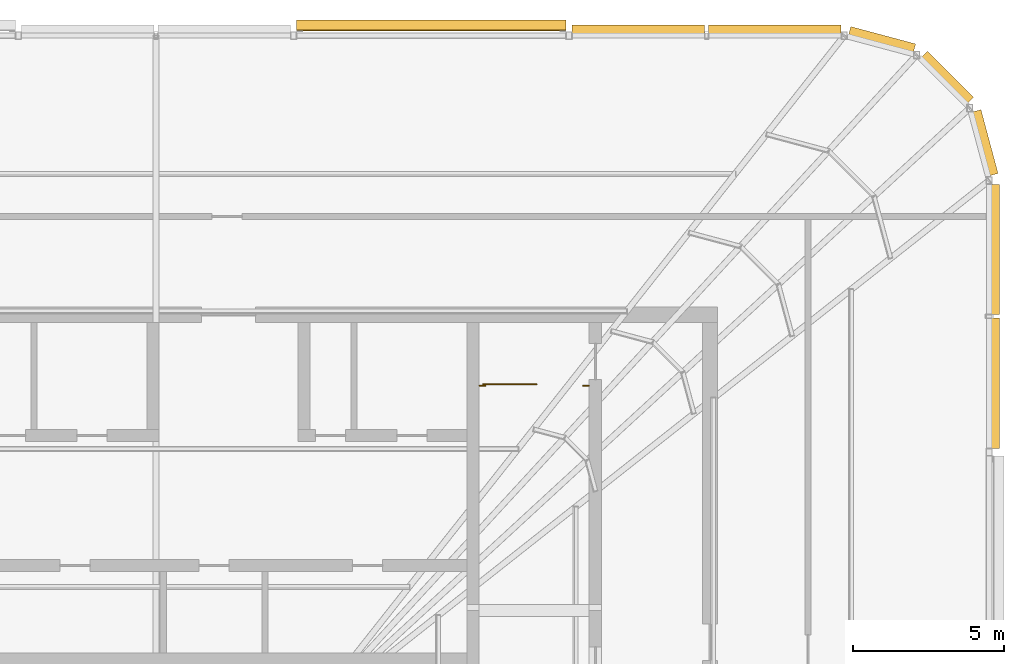
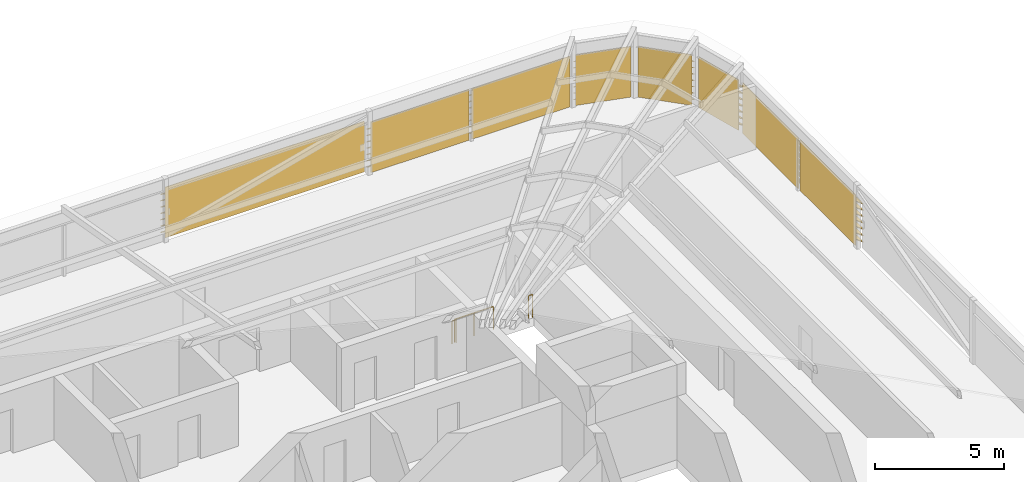
# One storey, part 46 of 46: 8 shading devices, 3 railings.
"""IFC4 building model written with IfcOpenShell, lengths in metres."""

from ifc_helpers import new_model, si_unit, direction, frame, origin, origin_2d, place, context, subcontext, project, spatial, polyline, circle, outline, extrude, material, type_object, element, save


model = new_model("IFC4")

# Units and contexts
model_context = context("Model", 3, precision=1e-05, world=origin(), true_north=direction((0.0, 1.0)))
body_context = subcontext(model_context, "Body", "Model", "MODEL_VIEW")
ifc_project = project(units=[si_unit("LENGTHUNIT", "METRE"), si_unit("AREAUNIT", "SQUARE_METRE"), si_unit("VOLUMEUNIT", "CUBIC_METRE"), si_unit("PLANEANGLEUNIT", "RADIAN"), si_unit("MASSUNIT", "GRAM", prefix="KILO")], contexts=[model_context])

# Site, building, storey
site_placement = place(None, origin())
site = spatial("IfcSite", under=ifc_project, at=site_placement, CompositionType="ELEMENT")
building_placement = place(site_placement, origin())
building = spatial("IfcBuilding", under=site, at=building_placement, Name="Madar Terraces", CompositionType="ELEMENT")
storey_placement = place(building_placement, frame((0.0, 0.0, 317.300048828125)))
storey = spatial("IfcBuildingStorey", under=building, at=storey_placement, Name="L82", CompositionType="ELEMENT", Elevation=317.300048828125)

# Shading devices
ifc_material_1 = material(Name="Aluminium, black anodised", Category="aluminium")
shading_device_type = type_object("IfcShadingDeviceType", Name="Crown louvre bank", PredefinedType="USERDEFINED", material=ifc_material_1)
for number, where, z_axis, x_axis, name in (
    (1, (56.39990234375, 33.126953125, 0.0), (0.0, 1.0, 0.0), (-1.0, 0.0, 0.0), "LOUVRE bank L82 12.1"),
    (2, (56.39990234375, 37.5634765625, 0.0), (0.0, 1.0, 0.0), (-1.0, 0.0, 0.0), "LOUVRE bank L82 12.2"),
):
    element("IfcShadingDevice", number, at=place(storey_placement, frame(where, z_axis=z_axis, x_axis=x_axis)), inside=storey, type_object=shading_device_type, Name=name, ObjectType="LOUVRE", PredefinedType="USERDEFINED", context=body_context, shape_type="SweptSolid", body=[
        extrude(outline(polyline([(0.014892578125, 0.0), (-0.014892578125, 0.0), (-0.014892578125, 0.24951171875), (-0.3427734375, 0.02001953125), (-0.3427734375, 0.06884765625), (-0.014892578125, 0.29833984375), (-0.014892578125, 0.54931640625), (-0.3427734375, 0.320068359375), (-0.3427734375, 0.368896484375), (-0.014892578125, 0.59814453125), (-0.014892578125, 0.849365234375), (-0.3427734375, 0.6201171875), (-0.3427734375, 0.6689453125), (-0.014892578125, 0.898193359375), (-0.014892578125, 1.1494140625), (-0.3427734375, 0.919921875), (-0.3427734375, 0.96875), (-0.014892578125, 1.1982421875), (-0.014892578125, 1.449462890625), (-0.3427734375, 1.219970703125), (-0.3427734375, 1.268798828125), (-0.014892578125, 1.498291015625), (-0.014892578125, 1.74951171875), (-0.3427734375, 1.52001953125), (-0.3427734375, 1.56884765625), (-0.014892578125, 1.79833984375), (-0.014892578125, 2.04931640625), (-0.3427734375, 1.820068359375), (-0.3427734375, 1.868896484375), (-0.014892578125, 2.09814453125), (-0.014892578125, 2.39794921875), (0.014892578125, 2.39794921875), (0.014892578125, 0.0)])), origin(), (0.0, 0.0, 1.0), 4.3095703125),
    ])
shading_device_1_placement = place(storey_placement, frame((56.361328125, 42.143798828125, 0.0), z_axis=(-0.258788169352, 0.965934098893, 0.0), x_axis=(-0.965934098893, -0.258788169352, 0.0)))
element("IfcShadingDevice", 3, at=shading_device_1_placement, inside=storey, type_object=shading_device_type, Name="LOUVRE bank L82 13.1", ObjectType="LOUVRE", PredefinedType="USERDEFINED", context=body_context, shape_type="SweptSolid", body=[
    extrude(outline(polyline([(0.014892578125, 0.0), (-0.014892578125, 0.0), (-0.014892578125, 0.24951171875), (-0.3427734375, 0.02001953125), (-0.3427734375, 0.06884765625), (-0.014892578125, 0.29833984375), (-0.014892578125, 0.54931640625), (-0.3427734375, 0.320068359375), (-0.3427734375, 0.368896484375), (-0.014892578125, 0.59814453125), (-0.014892578125, 0.849365234375), (-0.3427734375, 0.6201171875), (-0.3427734375, 0.6689453125), (-0.014892578125, 0.898193359375), (-0.014892578125, 1.1494140625), (-0.3427734375, 0.919921875), (-0.3427734375, 0.96875), (-0.014892578125, 1.1982421875), (-0.014892578125, 1.449462890625), (-0.3427734375, 1.219970703125), (-0.3427734375, 1.268798828125), (-0.014892578125, 1.498291015625), (-0.014892578125, 1.74951171875), (-0.3427734375, 1.52001953125), (-0.3427734375, 1.56884765625), (-0.014892578125, 1.79833984375), (-0.014892578125, 2.04931640625), (-0.3427734375, 1.820068359375), (-0.3427734375, 1.868896484375), (-0.014892578125, 2.09814453125), (-0.014892578125, 2.39794921875), (0.014892578125, 2.39794921875), (0.014892578125, 0.0)])), origin(), (0.0, 0.0, 1.0), 2.186767578125),
])
shading_device_2_placement = place(storey_placement, frame((55.642578125, 44.514404296875, 0.0), z_axis=(-0.707106781187, 0.707106781187, 0.0), x_axis=(-0.707106781187, -0.707106781187, 0.0)))
element("IfcShadingDevice", 4, at=shading_device_2_placement, inside=storey, type_object=shading_device_type, Name="LOUVRE bank L82 14.1", ObjectType="LOUVRE", PredefinedType="USERDEFINED", context=body_context, shape_type="SweptSolid", body=[
    extrude(outline(polyline([(0.014892578125, 0.0), (-0.014892578125, 0.0), (-0.014892578125, 0.24951171875), (-0.3427734375, 0.02001953125), (-0.3427734375, 0.06884765625), (-0.014892578125, 0.29833984375), (-0.014892578125, 0.54931640625), (-0.3427734375, 0.320068359375), (-0.3427734375, 0.368896484375), (-0.014892578125, 0.59814453125), (-0.014892578125, 0.849365234375), (-0.3427734375, 0.6201171875), (-0.3427734375, 0.6689453125), (-0.014892578125, 0.898193359375), (-0.014892578125, 1.1494140625), (-0.3427734375, 0.919921875), (-0.3427734375, 0.96875), (-0.014892578125, 1.1982421875), (-0.014892578125, 1.449462890625), (-0.3427734375, 1.219970703125), (-0.3427734375, 1.268798828125), (-0.014892578125, 1.498291015625), (-0.014892578125, 1.74951171875), (-0.3427734375, 1.52001953125), (-0.3427734375, 1.56884765625), (-0.014892578125, 1.79833984375), (-0.014892578125, 2.04931640625), (-0.3427734375, 1.820068359375), (-0.3427734375, 1.868896484375), (-0.014892578125, 2.09814453125), (-0.014892578125, 2.39794921875), (0.014892578125, 2.39794921875), (0.014892578125, 0.0)])), origin(), (0.0, 0.0, 1.0), 2.161376953125),
])
shading_device_3_placement = place(storey_placement, frame((53.87353515625, 46.19091796875, 0.0), z_axis=(-0.965935304808, 0.258783668197, 0.0), x_axis=(-0.258783668197, -0.965935304808, 0.0)))
element("IfcShadingDevice", 5, at=shading_device_3_placement, inside=storey, type_object=shading_device_type, Name="LOUVRE bank L82 15.1", ObjectType="LOUVRE", PredefinedType="USERDEFINED", context=body_context, shape_type="SweptSolid", body=[
    extrude(outline(polyline([(0.014892578125, 0.0), (-0.014892578125, 0.0), (-0.014892578125, 0.24951171875), (-0.3427734375, 0.02001953125), (-0.3427734375, 0.06884765625), (-0.014892578125, 0.29833984375), (-0.014892578125, 0.54931640625), (-0.3427734375, 0.320068359375), (-0.3427734375, 0.368896484375), (-0.014892578125, 0.59814453125), (-0.014892578125, 0.849365234375), (-0.3427734375, 0.6201171875), (-0.3427734375, 0.6689453125), (-0.014892578125, 0.898193359375), (-0.014892578125, 1.1494140625), (-0.3427734375, 0.919921875), (-0.3427734375, 0.96875), (-0.014892578125, 1.1982421875), (-0.014892578125, 1.449462890625), (-0.3427734375, 1.219970703125), (-0.3427734375, 1.268798828125), (-0.014892578125, 1.498291015625), (-0.014892578125, 1.74951171875), (-0.3427734375, 1.52001953125), (-0.3427734375, 1.56884765625), (-0.014892578125, 1.79833984375), (-0.014892578125, 2.04931640625), (-0.3427734375, 1.820068359375), (-0.3427734375, 1.868896484375), (-0.014892578125, 2.09814453125), (-0.014892578125, 2.39794921875), (0.014892578125, 2.39794921875), (0.014892578125, 0.0)])), origin(), (0.0, 0.0, 1.0), 2.22265625),
])
shading_device_4_placement = place(storey_placement, frame((51.498291015625, 46.800048828125, 0.0), z_axis=(-1.0, 0.0, 0.0), x_axis=(0.0, -1.0, 0.0)))
element("IfcShadingDevice", 6, at=shading_device_4_placement, inside=storey, type_object=shading_device_type, Name="LOUVRE bank L82 16.1", ObjectType="LOUVRE", PredefinedType="USERDEFINED", context=body_context, shape_type="SweptSolid", body=[
    extrude(outline(polyline([(0.014892578125, 0.0), (-0.014892578125, 0.0), (-0.014892578125, 0.24951171875), (-0.3427734375, 0.02001953125), (-0.3427734375, 0.06884765625), (-0.014892578125, 0.29833984375), (-0.014892578125, 0.54931640625), (-0.3427734375, 0.320068359375), (-0.3427734375, 0.368896484375), (-0.014892578125, 0.59814453125), (-0.014892578125, 0.849365234375), (-0.3427734375, 0.6201171875), (-0.3427734375, 0.6689453125), (-0.014892578125, 0.898193359375), (-0.014892578125, 1.1494140625), (-0.3427734375, 0.919921875), (-0.3427734375, 0.96875), (-0.014892578125, 1.1982421875), (-0.014892578125, 1.449462890625), (-0.3427734375, 1.219970703125), (-0.3427734375, 1.268798828125), (-0.014892578125, 1.498291015625), (-0.014892578125, 1.74951171875), (-0.3427734375, 1.52001953125), (-0.3427734375, 1.56884765625), (-0.014892578125, 1.79833984375), (-0.014892578125, 2.04931640625), (-0.3427734375, 1.820068359375), (-0.3427734375, 1.868896484375), (-0.014892578125, 2.09814453125), (-0.014892578125, 2.39794921875), (0.014892578125, 2.39794921875), (0.014892578125, 0.0)])), origin(), (0.0, 0.0, 1.0), 4.394775390625),
])
shading_device_5_placement = place(storey_placement, frame((46.9765625, 46.800048828125, 0.0), z_axis=(-1.0, 0.0, 0.0), x_axis=(0.0, -1.0, 0.0)))
element("IfcShadingDevice", 7, at=shading_device_5_placement, inside=storey, type_object=shading_device_type, Name="LOUVRE bank L82 16.2", ObjectType="LOUVRE", PredefinedType="USERDEFINED", context=body_context, shape_type="SweptSolid", body=[
    extrude(outline(polyline([(0.014892578125, 0.0), (-0.014892578125, 0.0), (-0.014892578125, 0.24951171875), (-0.3427734375, 0.02001953125), (-0.3427734375, 0.06884765625), (-0.014892578125, 0.29833984375), (-0.014892578125, 0.54931640625), (-0.3427734375, 0.320068359375), (-0.3427734375, 0.368896484375), (-0.014892578125, 0.59814453125), (-0.014892578125, 0.849365234375), (-0.3427734375, 0.6201171875), (-0.3427734375, 0.6689453125), (-0.014892578125, 0.898193359375), (-0.014892578125, 1.1494140625), (-0.3427734375, 0.919921875), (-0.3427734375, 0.96875), (-0.014892578125, 1.1982421875), (-0.014892578125, 1.449462890625), (-0.3427734375, 1.219970703125), (-0.3427734375, 1.268798828125), (-0.014892578125, 1.498291015625), (-0.014892578125, 1.74951171875), (-0.3427734375, 1.52001953125), (-0.3427734375, 1.56884765625), (-0.014892578125, 1.79833984375), (-0.014892578125, 2.04931640625), (-0.3427734375, 1.820068359375), (-0.3427734375, 1.868896484375), (-0.014892578125, 2.09814453125), (-0.014892578125, 2.39794921875), (0.014892578125, 2.39794921875), (0.014892578125, 0.0)])), origin(), (0.0, 0.0, 1.0), 4.39501953125),
])
shading_device_6_placement = place(storey_placement, frame((42.37841796875, 46.800048828125, 0.0), z_axis=(-1.0, 0.0, 0.0), x_axis=(0.0, -1.0, 0.0)))
element("IfcShadingDevice", 8, at=shading_device_6_placement, inside=storey, type_object=shading_device_type, Name="LOUVRE bank L82 17.1", ObjectType="LOUVRE", PredefinedType="USERDEFINED", context=body_context, shape_type="SweptSolid", body=[
    extrude(outline(polyline([(-0.156982421875, 0.0), (-0.18701171875, 0.0), (-0.18701171875, 0.24951171875), (-0.5146484375, 0.02001953125), (-0.5146484375, 0.06884765625), (-0.18701171875, 0.29833984375), (-0.18701171875, 0.54931640625), (-0.5146484375, 0.320068359375), (-0.5146484375, 0.368896484375), (-0.18701171875, 0.59814453125), (-0.18701171875, 0.849365234375), (-0.5146484375, 0.6201171875), (-0.5146484375, 0.6689453125), (-0.18701171875, 0.898193359375), (-0.18701171875, 1.1494140625), (-0.5146484375, 0.919921875), (-0.5146484375, 0.96875), (-0.18701171875, 1.1982421875), (-0.18701171875, 1.449462890625), (-0.5146484375, 1.219970703125), (-0.5146484375, 1.268798828125), (-0.18701171875, 1.498291015625), (-0.18701171875, 1.74951171875), (-0.5146484375, 1.52001953125), (-0.5146484375, 1.56884765625), (-0.18701171875, 1.79833984375), (-0.18701171875, 2.04931640625), (-0.5146484375, 1.820068359375), (-0.5146484375, 1.868896484375), (-0.18701171875, 2.09814453125), (-0.18701171875, 2.39794921875), (-0.156982421875, 2.39794921875), (-0.156982421875, 0.0)])), origin(), (0.0, 0.0, 1.0), 8.916748046875),
])

# Railings
ifc_material_2 = material(Name="Stainless steel railing", Category="steel")
railing_type = type_object("IfcRailingType", Name="Stair guard 1100", PredefinedType="GUARDRAIL", material=ifc_material_2)
railing_placement = place(storey_placement, frame((39.64990234375, 35.25, 0.0)))
element("IfcRailing", 9, at=railing_placement, inside=storey, type_object=railing_type, Name="L82 ST2 top well guard 1", PredefinedType="GUARDRAIL", context=body_context, shape_type="SweptSolid", body=[
    extrude(circle(Radius=0.02392578125, at=origin_2d()), frame((0.0, 0.0, 1.076171875), z_axis=(1.0, 0.0, 0.0), x_axis=(0.0, 1.0, 0.0)), (0.0, 0.0, 1.0), 1.75),
    extrude(circle(Radius=0.02099609375, at=origin_2d()), origin(), (0.0, 0.0, 1.0), 1.052001953125),
    extrude(circle(Radius=0.02099609375, at=origin_2d()), frame((0.875, 0.0, 0.0)), (0.0, 0.0, 1.0), 1.052001953125),
    extrude(circle(Radius=0.02099609375, at=origin_2d()), frame((1.75, 0.0, 0.0)), (0.0, 0.0, 1.0), 1.052001953125),
])
for number, where, name in (
    (10, (39.52001953125, 35.199951171875, 0.0), "L82 stair guard floor 1"),
    (11, (42.949951171875, 35.199951171875, 0.0), "L82 stair guard floor 2"),
):
    element("IfcRailing", number, at=place(storey_placement, frame(where)), inside=storey, type_object=railing_type, Name=name, PredefinedType="GUARDRAIL", context=body_context, shape_type="SweptSolid", body=[
        extrude(circle(Radius=0.02392578125, at=origin_2d()), frame((0.0, 0.0, 1.076171875), z_axis=(1.0, 0.0, 0.0), x_axis=(0.0, 1.0, 0.0)), (0.0, 0.0, 1.0), 0.179931640625),
        extrude(circle(Radius=0.02099609375, at=origin_2d()), origin(), (0.0, 0.0, 1.0), 1.052001953125),
        extrude(circle(Radius=0.02099609375, at=origin_2d()), frame((0.179931640625, 0.0, 0.0)), (0.0, 0.0, 1.0), 1.052001953125),
    ])

save(model, "model.ifc")
